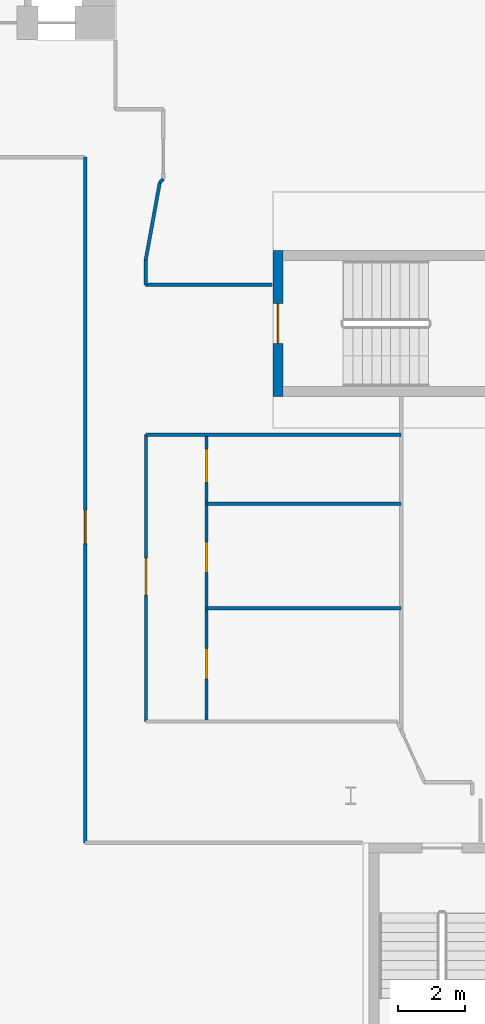
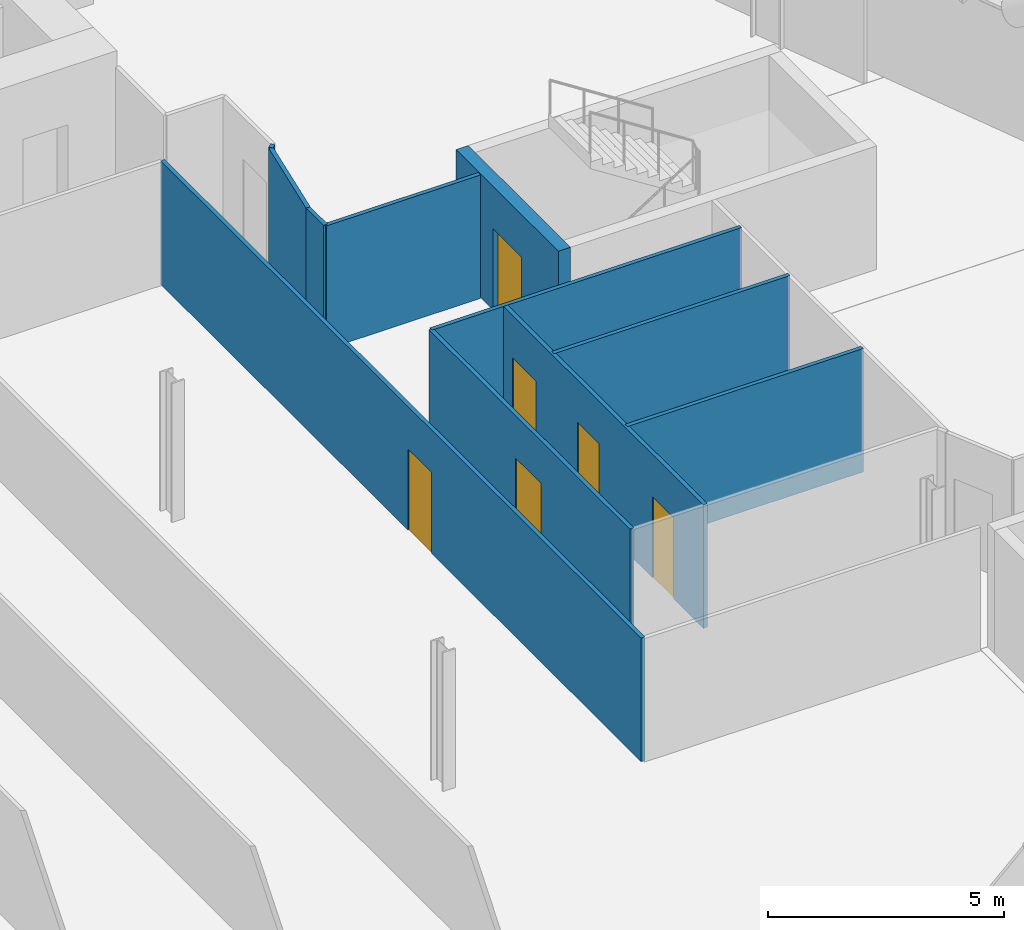
# One storey, part 14 of 26: 11 walls, 6 doors, 6 openings.
"""IFC4 building model written with IfcOpenShell, lengths in metres."""

import ifcopenshell
import ifcopenshell.guid

model = None  # the IFC model being written
_history = None  # IfcOwnerHistory: only IFC2X3 demands one
_inside = {}  # id of a spatial element -> (the spatial element, [elements in it])
_under = {}  # id of a project, library or spatial element -> (it, [spatial elements below it])
_declared = {}  # id of a project -> (the project, [libraries it declares])
_typed = {}  # id of a type object -> (the type object, [elements of that type])
_made_of = {}  # id of a material, layer set ... -> (it, [elements and type objects made of it])


def new_model(schema):
    """Start an empty IFC model of exactly this schema.

    Asked for "IFC4X3", IfcOpenShell would pick the latest addendum, in which some entities
    have other attributes; the version numbers below select the first issue.
    IFC2X3 requires an IfcOwnerHistory on every rooted entity: one is made here for all.
    """
    global model, _history
    if schema == "IFC4X3":
        model = ifcopenshell.file(schema_version=(4, 3, 0, 0))
    else:
        model = ifcopenshell.file(schema=schema)
    _inside.clear()
    _under.clear()
    _declared.clear()
    _typed.clear()
    _made_of.clear()
    _history = None
    if model.schema == "IFC2X3":
        org = make("IfcOrganization", Name="unknown")
        user = make(
            "IfcPersonAndOrganization",
            ThePerson=make("IfcPerson", FamilyName="unknown"),
            TheOrganization=org,
        )
        app = make(
            "IfcApplication",
            ApplicationDeveloper=org,
            Version="unknown",
            ApplicationFullName="unknown",
            ApplicationIdentifier="unknown",
        )
        _history = make(
            "IfcOwnerHistory",
            OwningUser=user,
            OwningApplication=app,
            ChangeAction="ADDED",
            CreationDate=0,
        )
    return model


def make(cls, **values):
    """One entity of the class cls with the attributes given. An attribute that is None is left unset."""
    return model.create_entity(
        cls, **{name: value for name, value in values.items() if value is not None}
    )


def rooted(cls, **values):
    """An entity with a GlobalId (a new one), such as an element, a storey or a relation."""
    return make(cls, GlobalId=ifcopenshell.guid.new(), OwnerHistory=_history, **values)


def si_unit(unit_type, name, prefix=None):
    """IfcSIUnit, for example si_unit("LENGTHUNIT", "METRE", prefix="MILLI")."""
    return make("IfcSIUnit", UnitType=unit_type, Prefix=prefix, Name=name)


def assignment(units):
    """IfcUnitAssignment: the units of a project."""
    return None if units is None else make("IfcUnitAssignment", Units=units)


def point(xyz):
    """IfcCartesianPoint."""
    return None if xyz is None else make("IfcCartesianPoint", Coordinates=xyz)


def direction(xyz):
    """IfcDirection."""
    return None if xyz is None else make("IfcDirection", DirectionRatios=xyz)


def frame(location, z_axis=None, x_axis=None):
    """IfcAxis2Placement3D, a coordinate frame: its origin and axes. An axis left out is left unset."""
    return make(
        "IfcAxis2Placement3D",
        Location=point(location),
        Axis=direction(z_axis),
        RefDirection=direction(x_axis),
    )


def frame_2d(location, x_axis=None):
    """IfcAxis2Placement2D, a coordinate frame in the plane: its origin and x axis."""
    return make(
        "IfcAxis2Placement2D", Location=point(location), RefDirection=direction(x_axis)
    )


def origin():
    """The frame at (0, 0, 0) with its axes left unset."""
    return frame((0.0, 0.0, 0.0))


def place(relative_to, where):
    """IfcLocalPlacement: puts the frame where relative to a parent placement (None: the world)."""
    return make(
        "IfcLocalPlacement", PlacementRelTo=relative_to, RelativePlacement=where
    )


def context(
    kind, dimensions, precision=None, world=None, true_north=None, identifier=None
):
    """IfcGeometricRepresentationContext, for example the 3D "Model" context."""
    return make(
        "IfcGeometricRepresentationContext",
        ContextIdentifier=identifier,
        ContextType=kind,
        CoordinateSpaceDimension=dimensions,
        Precision=precision,
        WorldCoordinateSystem=world,
        TrueNorth=true_north,
    )


def subcontext(parent, identifier, kind, view, scale=None):
    """IfcGeometricRepresentationSubContext, for example "Body" below "Model"."""
    return make(
        "IfcGeometricRepresentationSubContext",
        ContextIdentifier=identifier,
        ContextType=kind,
        ParentContext=parent,
        TargetScale=scale,
        TargetView=view,
    )


def project(units=None, contexts=None):
    """IfcProject with its units and contexts."""
    return rooted(
        "IfcProject",
        Name="project",
        RepresentationContexts=contexts,
        UnitsInContext=assignment(units),
    )


def spatial(cls, under=None, at=None, **own):
    """A site, building, storey or space (cls), placed at a placement, below another one or the project."""
    s = rooted(cls, ObjectPlacement=at, **own)
    if under is not None:
        _under.setdefault(under.id(), (under, []))[1].append(s)
    return s


def profile(cls, at=None, kind="AREA", **sizes):
    """A parametric profile (cls). Its sizes go by their IFC names, for example OverallWidth=200.0."""
    return make(cls, ProfileType=kind, Position=at, **sizes)


def rectangle(**sizes):
    """IfcRectangleProfileDef."""
    return profile("IfcRectangleProfileDef", **sizes)


def extrude(swept, where, along, depth):
    """IfcExtrudedAreaSolid: the profile swept, set in the frame where, extruded along a direction by depth."""
    return make(
        "IfcExtrudedAreaSolid",
        SweptArea=swept,
        Position=where,
        ExtrudedDirection=direction(along),
        Depth=depth,
    )


def shape(context_of_items, identifier, shape_type, items):
    """IfcShapeRepresentation: the items that make up one representation, for example the "Body"."""
    return make(
        "IfcShapeRepresentation",
        ContextOfItems=context_of_items,
        RepresentationIdentifier=identifier,
        RepresentationType=shape_type,
        Items=items,
    )


def material(Name=None, Category=None):
    """IfcMaterial."""
    return make("IfcMaterial", Name=Name, Category=Category)


def layer(
    of_material, thickness, ventilated=None, Name=None, Category=None, Priority=None
):
    """IfcMaterialLayer: one layer of a wall or slab, of a material (None: an air gap)."""
    return make(
        "IfcMaterialLayer",
        Material=of_material,
        LayerThickness=thickness,
        IsVentilated=ventilated,
        Name=Name,
        Category=Category,
        Priority=Priority,
    )


def layer_set(layers, Name=None):
    """IfcMaterialLayerSet."""
    return make("IfcMaterialLayerSet", MaterialLayers=layers, LayerSetName=Name)


def made_of(thing, what):
    """Note that an element or type object is made of a material, layer set ...; save() writes the relation."""
    if what is not None:
        _made_of.setdefault(what.id(), (what, []))[1].append(thing)
    return thing


def type_object(cls, material=None, **own):
    """A type object (cls), such as IfcWallType, which elements share."""
    return made_of(rooted(cls, **own), material)


def element(
    cls,
    number,
    at=None,
    inside=None,
    cuts=None,
    type_object=None,
    material=None,
    context=None,
    identifier="Body",
    shape_type=None,
    held_by="IfcProductDefinitionShape",
    body=None,
    shapes=None,
    **own,
):
    """One element of the class cls, such as IfcWall. Its Tag is "e" and its number.

    at: its placement. inside: the storey or other place that contains it. cuts: it is an
    opening in that element (IfcRelVoidsElement). A single representation is given by context,
    identifier, shape_type and body (its items); several are given by shapes. held_by: the class
    of the entity that holds the representations. save() writes the other relations.
    """
    e = rooted(cls, Tag="e%d" % number, ObjectPlacement=at, **own)
    if body is not None:
        shapes = [shape(context, identifier, shape_type, body)]
    if shapes is not None:
        e.Representation = make(held_by, Representations=shapes)
    if inside is not None:
        _inside.setdefault(inside.id(), (inside, []))[1].append(e)
    if cuts is not None:
        rooted(
            "IfcRelVoidsElement", RelatingBuildingElement=cuts, RelatedOpeningElement=e
        )
    if type_object is not None:
        _typed.setdefault(type_object.id(), (type_object, []))[1].append(e)
    return made_of(e, material)


def fill(opening, filler):
    """IfcRelFillsElement: the door or window that sits in an opening."""
    return rooted(
        "IfcRelFillsElement",
        RelatingOpeningElement=opening,
        RelatedBuildingElement=filler,
    )


def aggregate(whole, parts):
    """IfcRelAggregates: a whole, such as a stair, and the parts it consists of."""
    return rooted("IfcRelAggregates", RelatingObject=whole, RelatedObjects=parts)


def save(model, path):
    """Write the relations noted so far, then the file.

    IfcRelAggregates (storeys below a building ...), IfcRelContainedInSpatialStructure (elements
    in a storey), IfcRelDefinesByType, IfcRelAssociatesMaterial and IfcRelDeclares: one each for
    every whole, place, type object, material and project.
    """
    for whole, parts in _under.values():
        aggregate(whole, parts)
    for where, things in _inside.values():
        rooted(
            "IfcRelContainedInSpatialStructure",
            RelatedElements=things,
            RelatingStructure=where,
        )
    for kind, things in _typed.values():
        rooted("IfcRelDefinesByType", RelatedObjects=things, RelatingType=kind)
    for what, things in _made_of.values():
        rooted("IfcRelAssociatesMaterial", RelatedObjects=things, RelatingMaterial=what)
    for by, libraries in _declared.values():
        rooted("IfcRelDeclares", RelatingContext=by, RelatedDefinitions=libraries)
    model.write(path)


model = new_model("IFC4")

# Units and contexts
model_context = context("Model", 3, precision=1e-05, world=origin(), true_north=direction((0.0, 1.0)))
body_context = subcontext(model_context, "Body", "Model", "MODEL_VIEW")
ifc_project = project(units=[si_unit("LENGTHUNIT", "METRE"), si_unit("AREAUNIT", "SQUARE_METRE"), si_unit("VOLUMEUNIT", "CUBIC_METRE"), si_unit("PLANEANGLEUNIT", "RADIAN"), si_unit("MASSUNIT", "GRAM", prefix="KILO")], contexts=[model_context])

# Site, building, storey
site_placement = place(None, origin())
site = spatial("IfcSite", under=ifc_project, at=site_placement, CompositionType="ELEMENT")
building_placement = place(site_placement, origin())
building = spatial("IfcBuilding", under=site, at=building_placement, Name="Wharfspan Tower", CompositionType="ELEMENT")
storey_placement = place(building_placement, frame((0.0, 0.0, 125.5)))
storey = spatial("IfcBuildingStorey", under=building, at=storey_placement, Name="L29", CompositionType="ELEMENT", Elevation=125.5)

# Wall, opening, door
ifc_material_1 = material(Name="Gypsum board on steel studs", Category="steel")
ifc_layer_1 = layer(ifc_material_1, 0.100098)
ifc_layer_set_1 = layer_set([ifc_layer_1], Name="Gypsum board on steel studs")
wall_type_1 = type_object("IfcWallType", Name="Compartment wall 100 EI 60", PredefinedType="PARTITIONING", material=ifc_layer_set_1)
wall_1_placement = place(storey_placement, frame((64.100098, 10.094971, 0.0), z_axis=(0.0, 0.0, 1.0), x_axis=(0.0, 1.0, 0.0)))
wall_1 = element("IfcWall", 1, at=wall_1_placement, inside=storey, type_object=wall_type_1, Name="Partition L29.w018", PredefinedType="PARTITIONING", context=body_context, shape_type="SweptSolid", body=[
    extrude(rectangle(XDim=20.405029, YDim=0.100098, at=frame_2d((10.202637, 0.0))), origin(), (0.0, 0.0, 1.0), 3.199951),
])
opening_1_placement = place(wall_1_placement, frame((8.905029, 0.0, 0.0)))
opening_1 = element("IfcOpeningElement", 2, at=opening_1_placement, cuts=wall_1, Name="Opening B4-06", PredefinedType="OPENING", context=body_context, shape_type="SweptSolid", body=[
    extrude(rectangle(XDim=1.0, YDim=2.100098, at=frame_2d((0.5, 1.050049))), frame((0.0, 0.060059, 0.0), z_axis=(0.0, -1.0, 0.0), x_axis=(1.0, 0.0, 0.0)), (0.0, 0.0, 1.0), 0.120117),
])
ifc_material_2 = material(Name="Fire-rated timber door leaf in steel frame", Category="steel")
door_type_1 = type_object("IfcDoorType", Name="Door 1000 FD30S Left", OperationType="SINGLE_SWING_LEFT", PredefinedType="DOOR", material=ifc_material_2)
door_1_placement = place(opening_1_placement, origin())
door_1 = element("IfcDoor", 3, at=door_1_placement, inside=storey, type_object=door_type_1, Name="Door B4-06", OperationType="SINGLE_SWING_LEFT", OverallHeight=2.100098, OverallWidth=1.0, PredefinedType="DOOR", context=body_context, shape_type="SweptSolid", body=[
    extrude(rectangle(XDim=1.0, YDim=2.100098, at=frame_2d((0.5, 1.050049))), frame((0.0, 0.024902, 0.0), z_axis=(0.0, -1.0, 0.0), x_axis=(1.0, 0.0, 0.0)), (0.0, 0.0, 1.0), 0.050049),
])
fill(opening_1, door_1)

# Walls
wall_2_placement = place(storey_placement, frame((65.899902, 26.699951, 0.0), z_axis=(0.0, 0.0, 1.0), x_axis=(0.0, 1.0, 0.0)))
element("IfcWall", 4, at=wall_2_placement, inside=storey, type_object=wall_type_1, Name="Partition L29.w022", PredefinedType="PARTITIONING", context=body_context, shape_type="SweptSolid", body=[
    extrude(rectangle(XDim=0.735107, YDim=0.100098, at=frame_2d((0.367676, 0.0))), origin(), (0.0, 0.0, 1.0), 3.199951),
])
wall_3_placement = place(storey_placement, frame((65.899902, 26.699951, 0.0), z_axis=(0.0, 0.0, 1.0), x_axis=(1.0, 0.0, 0.0)))
element("IfcWall", 5, at=wall_3_placement, inside=storey, type_object=wall_type_1, Name="Partition L29.w023", PredefinedType="PARTITIONING", context=body_context, shape_type="SweptSolid", body=[
    extrude(rectangle(XDim=3.770508, YDim=0.100098, at=frame_2d((1.885254, 0.0))), origin(), (0.0, 0.0, 1.0), 3.199951),
])
wall_4_placement = place(storey_placement, frame((65.899902, 27.435059, 0.0), z_axis=(0.0, 0.0, 1.0), x_axis=(0.178584, 0.983924, 0.0)))
element("IfcWall", 6, at=wall_4_placement, inside=storey, type_object=wall_type_1, Name="Partition L29.w024", PredefinedType="PARTITIONING", context=body_context, shape_type="SweptSolid", body=[
    extrude(rectangle(XDim=2.352783, YDim=0.100098, at=frame_2d((1.17627, 0.0))), origin(), (0.0, 0.0, 1.0), 3.199951),
])

# Wall, opening, door
wall_5_placement = place(storey_placement, frame((65.909912, 13.705078, 0.0), z_axis=(0.0, 0.0, 1.0), x_axis=(0.0, 1.0, 0.0)))
wall_5 = element("IfcWall", 7, at=wall_5_placement, inside=storey, type_object=wall_type_1, Name="Partition L29.w025", PredefinedType="PARTITIONING", context=body_context, shape_type="SweptSolid", body=[
    extrude(rectangle(XDim=8.534912, YDim=0.100098, at=frame_2d((4.267578, 0.0))), origin(), (0.0, 0.0, 1.0), 3.199951),
])
opening_2_placement = place(wall_5_placement, frame((3.77002, 0.0, 0.0)))
opening_2 = element("IfcOpeningElement", 8, at=opening_2_placement, cuts=wall_5, Name="Opening B4-03", PredefinedType="OPENING", context=body_context, shape_type="SweptSolid", body=[
    extrude(rectangle(XDim=1.100098, YDim=2.100098, at=frame_2d((0.550049, 1.050049))), frame((0.0, 0.060059, 0.0), z_axis=(0.0, -1.0, 0.0), x_axis=(1.0, 0.0, 0.0)), (0.0, 0.0, 1.0), 0.120117),
])
door_type_2 = type_object("IfcDoorType", Name="Door 1100 FD30S Right", OperationType="SINGLE_SWING_RIGHT", PredefinedType="DOOR", material=ifc_material_2)
door_2_placement = place(opening_2_placement, origin())
door_2 = element("IfcDoor", 9, at=door_2_placement, inside=storey, type_object=door_type_2, Name="Door B4-03", OperationType="SINGLE_SWING_RIGHT", OverallHeight=2.100098, OverallWidth=1.100098, PredefinedType="DOOR", context=body_context, shape_type="SweptSolid", body=[
    extrude(rectangle(XDim=1.100098, YDim=2.100098, at=frame_2d((0.550049, 1.050049))), frame((0.0, 0.024902, 0.0), z_axis=(0.0, -1.0, 0.0), x_axis=(1.0, 0.0, 0.0)), (0.0, 0.0, 1.0), 0.050049),
])
fill(opening_2, door_2)

# Walls
wall_6_placement = place(storey_placement, frame((65.909912, 22.23999, 0.0), z_axis=(0.0, 0.0, 1.0), x_axis=(1.0, 0.0, 0.0)))
element("IfcWall", 10, at=wall_6_placement, inside=storey, type_object=wall_type_1, Name="Partition L29.w027", PredefinedType="PARTITIONING", context=body_context, shape_type="SweptSolid", body=[
    extrude(rectangle(XDim=7.590088, YDim=0.100098, at=frame_2d((3.794922, 0.0))), origin(), (0.0, 0.0, 1.0), 3.199951),
])
wall_7_placement = place(storey_placement, frame((66.320068, 29.75, 0.0), z_axis=(0.0, 0.0, 1.0), x_axis=(0.741581, 0.670872, 0.0)))
element("IfcWall", 11, at=wall_7_placement, inside=storey, type_object=wall_type_1, Name="Partition L29.w028", PredefinedType="PARTITIONING", context=body_context, shape_type="SweptSolid", body=[
    extrude(rectangle(XDim=0.141602, YDim=0.100098, at=frame_2d((0.070801, 0.0))), origin(), (0.0, 0.0, 1.0), 3.199951),
])

# Wall, openings, doors
wall_8_placement = place(storey_placement, frame((67.709961, 13.705078, 0.0), z_axis=(0.0, 0.0, 1.0), x_axis=(0.0, 1.0, 0.0)))
wall_8 = element("IfcWall", 12, at=wall_8_placement, inside=storey, type_object=wall_type_1, Name="Partition L29.w030", PredefinedType="PARTITIONING", context=body_context, shape_type="SweptSolid", body=[
    extrude(rectangle(XDim=8.534912, YDim=0.100098, at=frame_2d((4.267578, 0.0))), origin(), (0.0, 0.0, 1.0), 3.199951),
])
opening_3_placement = place(wall_8_placement, frame((1.27002, 0.0, 0.0)))
opening_3 = element("IfcOpeningElement", 13, at=opening_3_placement, cuts=wall_8, Name="Opening B4-02", PredefinedType="OPENING", context=body_context, shape_type="SweptSolid", body=[
    extrude(rectangle(XDim=0.899902, YDim=2.100098, at=frame_2d((0.449951, 1.050049))), frame((0.0, 0.060059, 0.0), z_axis=(0.0, -1.0, 0.0), x_axis=(1.0, 0.0, 0.0)), (0.0, 0.0, 1.0), 0.120117),
])
opening_4_placement = place(wall_8_placement, frame((4.439941, 0.0, 0.0)))
opening_4 = element("IfcOpeningElement", 14, at=opening_4_placement, cuts=wall_8, Name="Opening B4-04", PredefinedType="OPENING", context=body_context, shape_type="SweptSolid", body=[
    extrude(rectangle(XDim=0.899902, YDim=2.100098, at=frame_2d((0.449951, 1.050049))), frame((0.0, 0.060059, 0.0), z_axis=(0.0, -1.0, 0.0), x_axis=(1.0, 0.0, 0.0)), (0.0, 0.0, 1.0), 0.120117),
])
opening_5_placement = place(wall_8_placement, frame((7.110107, 0.0, 0.0)))
opening_5 = element("IfcOpeningElement", 15, at=opening_5_placement, cuts=wall_8, Name="Opening B4-07", PredefinedType="OPENING", context=body_context, shape_type="SweptSolid", body=[
    extrude(rectangle(XDim=1.0, YDim=2.100098, at=frame_2d((0.5, 1.050049))), frame((0.0, 0.060059, 0.0), z_axis=(0.0, -1.0, 0.0), x_axis=(1.0, 0.0, 0.0)), (0.0, 0.0, 1.0), 0.120117),
])
ifc_material_3 = material(Name="Timber door leaf in steel frame", Category="steel")
door_type_3 = type_object("IfcDoorType", Name="Door 1000 NOT RATED Right", OperationType="SINGLE_SWING_RIGHT", PredefinedType="DOOR", material=ifc_material_3)
door_3_placement = place(opening_5_placement, origin())
door_3 = element("IfcDoor", 16, at=door_3_placement, inside=storey, type_object=door_type_3, Name="Door B4-07", OperationType="SINGLE_SWING_RIGHT", OverallHeight=2.100098, OverallWidth=1.0, PredefinedType="DOOR", context=body_context, shape_type="SweptSolid", body=[
    extrude(rectangle(XDim=1.0, YDim=2.100098, at=frame_2d((0.5, 1.050049))), frame((0.0, 0.024902, 0.0), z_axis=(0.0, -1.0, 0.0), x_axis=(1.0, 0.0, 0.0)), (0.0, 0.0, 1.0), 0.050049),
])
fill(opening_5, door_3)
door_type_4 = type_object("IfcDoorType", Name="Door 900 NOT RATED Left", OperationType="SINGLE_SWING_LEFT", PredefinedType="DOOR", material=ifc_material_3)
door_4_placement = place(opening_3_placement, origin())
door_4 = element("IfcDoor", 17, at=door_4_placement, inside=storey, type_object=door_type_4, Name="Door B4-02", OperationType="SINGLE_SWING_LEFT", OverallHeight=2.100098, OverallWidth=0.899902, PredefinedType="DOOR", context=body_context, shape_type="SweptSolid", body=[
    extrude(rectangle(XDim=0.899902, YDim=2.100098, at=frame_2d((0.449951, 1.050049))), frame((0.0, 0.024902, 0.0), z_axis=(0.0, -1.0, 0.0), x_axis=(1.0, 0.0, 0.0)), (0.0, 0.0, 1.0), 0.050049),
])
fill(opening_3, door_4)
door_type_5 = type_object("IfcDoorType", Name="Door 900 NOT RATED Right", OperationType="SINGLE_SWING_RIGHT", PredefinedType="DOOR", material=ifc_material_3)
door_5_placement = place(opening_4_placement, origin())
door_5 = element("IfcDoor", 18, at=door_5_placement, inside=storey, type_object=door_type_5, Name="Door B4-04", OperationType="SINGLE_SWING_RIGHT", OverallHeight=2.100098, OverallWidth=0.899902, PredefinedType="DOOR", context=body_context, shape_type="SweptSolid", body=[
    extrude(rectangle(XDim=0.899902, YDim=2.100098, at=frame_2d((0.449951, 1.050049))), frame((0.0, 0.024902, 0.0), z_axis=(0.0, -1.0, 0.0), x_axis=(1.0, 0.0, 0.0)), (0.0, 0.0, 1.0), 0.050049),
])
fill(opening_4, door_5)

# Walls
ifc_layer_2 = layer(ifc_material_1, 0.100098)
ifc_layer_set_2 = layer_set([ifc_layer_2], Name="Gypsum board on steel studs")
wall_type_2 = type_object("IfcWallType", Name="Partition 100", PredefinedType="PARTITIONING", material=ifc_layer_set_2)
for number, where, z_axis, x_axis, name in (
    (19, (67.709961, 17.074951, 0.0), (0.0, 0.0, 1.0), (1.0, 0.0, 0.0), "Partition L29.w031"),
    (20, (67.709961, 20.189941, 0.0), (0.0, 0.0, 1.0), (1.0, 0.0, 0.0), "Partition L29.w032"),
):
    element("IfcWall", number, at=place(storey_placement, frame(where, z_axis=z_axis, x_axis=x_axis)), inside=storey, type_object=wall_type_2, Name=name, PredefinedType="PARTITIONING", context=body_context, shape_type="SweptSolid", body=[
        extrude(rectangle(XDim=5.790039, YDim=0.100098, at=frame_2d((2.89502, 0.0))), origin(), (0.0, 0.0, 1.0), 3.199951),
    ])

# Wall, opening, door
ifc_material_4 = material(Name="Concrete C40/50", Category="concrete")
ifc_layer_3 = layer(ifc_material_4, 0.300049)
ifc_layer_set_3 = layer_set([ifc_layer_3], Name="Concrete C40/50")
wall_type_3 = type_object("IfcWallType", Name="Stair core wall 300", PredefinedType="SHEAR", material=ifc_layer_set_3)
wall_9_placement = place(storey_placement, frame((69.840332, 23.375, 0.0), z_axis=(0.0, 0.0, 1.0), x_axis=(0.0, 1.0, 0.0)))
wall_9 = element("IfcWall", 21, at=wall_9_placement, inside=storey, type_object=wall_type_3, Name="ST6 stair enclosure wall L29", PredefinedType="SHEAR", context=body_context, shape_type="SweptSolid", body=[
    extrude(rectangle(XDim=4.350098, YDim=0.300049, at=frame_2d((2.175049, 0.0))), origin(), (0.0, 0.0, 1.0), 3.199951),
])
opening_6_placement = place(wall_9_placement, frame((1.574951, 0.0, 0.0)))
opening_6 = element("IfcOpeningElement", 22, at=opening_6_placement, cuts=wall_9, Name="Opening SD6.L29", PredefinedType="OPENING", context=body_context, shape_type="SweptSolid", body=[
    extrude(rectangle(XDim=1.199951, YDim=2.100098, at=frame_2d((0.600098, 1.050049))), frame((0.0, 0.159912, 0.0), z_axis=(0.0, -1.0, 0.0), x_axis=(1.0, 0.0, 0.0)), (0.0, 0.0, 1.0), 0.320068),
])
ifc_material_5 = material(Name="Steel door leaf", Category="steel")
door_type_6 = type_object("IfcDoorType", Name="Stair door 1200x2100", OperationType="SINGLE_SWING_LEFT", PredefinedType="DOOR", material=ifc_material_5)
door_6_placement = place(opening_6_placement, origin())
door_6 = element("IfcDoor", 23, at=door_6_placement, inside=storey, type_object=door_type_6, Name="sd:L29:ST6z2", OperationType="SINGLE_SWING_RIGHT", OverallHeight=2.100098, OverallWidth=1.199951, PredefinedType="DOOR", context=body_context, shape_type="SweptSolid", body=[
    extrude(rectangle(XDim=1.199951, YDim=2.100098, at=frame_2d((0.600098, 1.050049))), frame((0.0, 0.024902, 0.0), z_axis=(0.0, -1.0, 0.0), x_axis=(1.0, 0.0, 0.0)), (0.0, 0.0, 1.0), 0.050049),
])
fill(opening_6, door_6)

save(model, "model.ifc")
